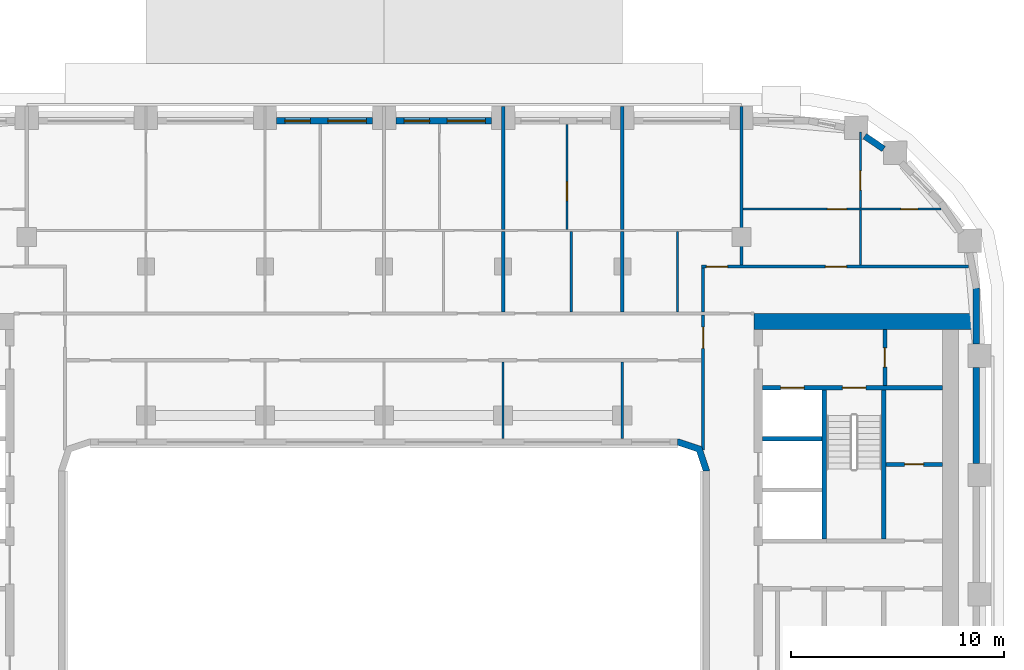
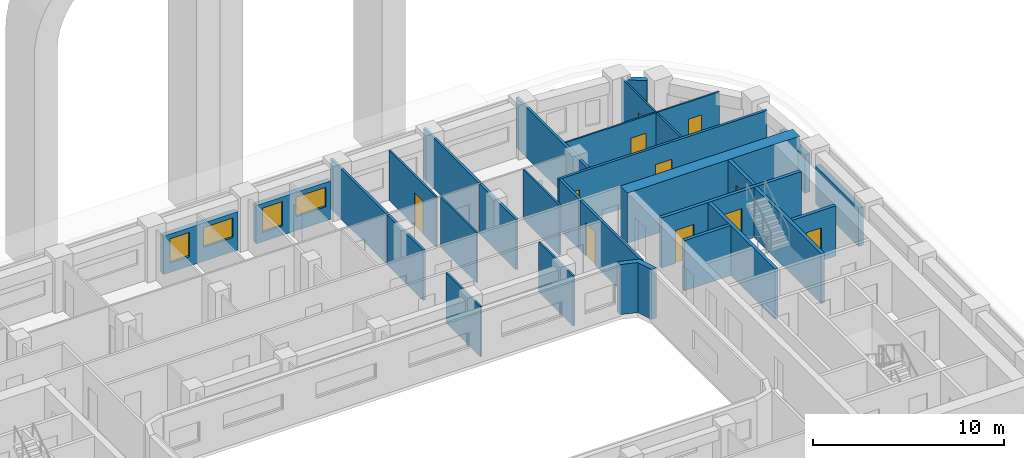
# One storey, part 9 of 18: 29 walls, 11 doors, 4 windows, 15 openings.
"""IFC4 building model written with IfcOpenShell, lengths in metres."""

from ifc_helpers import new_model, si_unit, direction, frame, frame_2d, origin, place, context, subcontext, project, spatial, polyline, rectangle, outline, extrude, material, layer, layer_set, type_object, element, fill, save


model = new_model("IFC4")

# Units and contexts
model_context = context("Model", 3, precision=1e-05, world=origin(), true_north=direction((0.0, 1.0)))
body_context = subcontext(model_context, "Body", "Model", "MODEL_VIEW")
ifc_project = project(units=[si_unit("LENGTHUNIT", "METRE"), si_unit("AREAUNIT", "SQUARE_METRE"), si_unit("VOLUMEUNIT", "CUBIC_METRE"), si_unit("PLANEANGLEUNIT", "RADIAN"), si_unit("MASSUNIT", "GRAM", prefix="KILO")], contexts=[model_context])

# Site, building, storey
site_placement = place(None, origin())
site = spatial("IfcSite", under=ifc_project, at=site_placement, CompositionType="ELEMENT")
building_placement = place(site_placement, origin())
building = spatial("IfcBuilding", under=site, at=building_placement, Name="Kiln Ring Residences", CompositionType="ELEMENT")
storey_placement = place(building_placement, frame((0.0, 0.0, 157.10009765625)))
storey = spatial("IfcBuildingStorey", under=building, at=storey_placement, Name="L40", CompositionType="ELEMENT", Elevation=157.10009765625)

# Wall, opening, door
ifc_material_1 = material(Name="Gypsum board on steel studs", Category="steel")
ifc_layer_1 = layer(ifc_material_1, 0.199951171875)
ifc_layer_set_1 = layer_set([ifc_layer_1], Name="CORE-PARTITION-200")
wall_type_1 = type_object("IfcWallType", Name="CORE-PARTITION-200", PredefinedType="PARTITIONING", material=ifc_layer_set_1)
wall_1_placement = place(storey_placement, frame((23.550048828125, 9.800048828125, 0.0), z_axis=(0.0, 0.0, 1.0), x_axis=(0.0, 1.0, 0.0)))
wall_1 = element("IfcWall", 1, at=wall_1_placement, inside=storey, type_object=wall_type_1, Name="Core partition east L40 4", PredefinedType="PARTITIONING", context=body_context, shape_type="SweptSolid", body=[
    extrude(rectangle(XDim=2.64990234375, YDim=0.199951171875, at=frame_2d((1.324951171875, 0.0))), origin(), (0.0, 0.0, 1.0), 3.199951171875),
])
opening_1_placement = place(wall_1_placement, frame((0.875, 0.0, 0.0)))
opening_1 = element("IfcOpeningElement", 2, at=opening_1_placement, cuts=wall_1, Name="Opening L40-CE09", PredefinedType="OPENING", context=body_context, shape_type="SweptSolid", body=[
    extrude(rectangle(XDim=0.89990234375, YDim=2.10009765625, at=frame_2d((0.449951171875, 1.050048828125))), frame((0.0, 0.10986328125, 0.0), z_axis=(0.0, -1.0, 0.0), x_axis=(1.0, 0.0, 0.0)), (0.0, 0.0, 1.0), 0.219970703125),
])
ifc_material_2 = material(Name="Steel door leaf", Category="steel")
door_type_1 = type_object("IfcDoorType", Name="CORE-DOOR-ROOM", OperationType="SINGLE_SWING_LEFT", PredefinedType="DOOR", material=ifc_material_2)
door_1_placement = place(opening_1_placement, origin())
door_1 = element("IfcDoor", 3, at=door_1_placement, inside=storey, type_object=door_type_1, Name="Fire riser room L40-CE09", OperationType="SINGLE_SWING_RIGHT", OverallHeight=2.10009765625, OverallWidth=0.89990234375, PredefinedType="DOOR", context=body_context, shape_type="SweptSolid", body=[
    extrude(rectangle(XDim=0.89990234375, YDim=2.10009765625, at=frame_2d((0.449951171875, 1.050048828125))), frame((0.0, 0.02490234375, 0.0), z_axis=(0.0, -1.0, 0.0), x_axis=(1.0, 0.0, 0.0)), (0.0, 0.0, 1.0), 0.050048828125),
])
fill(opening_1, door_1)

wall_2_placement = place(storey_placement, frame((23.60009765625, 6.10009765625, 0.0), z_axis=(0.0, 0.0, 1.0), x_axis=(1.0, 0.0, 0.0)))
wall_2 = element("IfcWall", 4, at=wall_2_placement, inside=storey, type_object=wall_type_1, Name="Core partition east L40 7", PredefinedType="PARTITIONING", context=body_context, shape_type="SweptSolid", body=[
    extrude(rectangle(XDim=2.64990234375, YDim=0.199951171875, at=frame_2d((1.324951171875, 0.0))), origin(), (0.0, 0.0, 1.0), 3.199951171875),
])
opening_2_placement = place(wall_2_placement, frame((0.875, 0.0, 0.0)))
opening_2 = element("IfcOpeningElement", 5, at=opening_2_placement, cuts=wall_2, Name="Opening L40-CE17", PredefinedType="OPENING", context=body_context, shape_type="SweptSolid", body=[
    extrude(rectangle(XDim=0.89990234375, YDim=2.10009765625, at=frame_2d((0.449951171875, 1.050048828125))), frame((0.0, 0.10986328125, 0.0), z_axis=(0.0, -1.0, 0.0), x_axis=(1.0, 0.0, 0.0)), (0.0, 0.0, 1.0), 0.219970703125),
])
door_2_placement = place(opening_2_placement, origin())
door_2 = element("IfcDoor", 6, at=door_2_placement, inside=storey, type_object=door_type_1, Name="Comms room L40-CE17", OperationType="SINGLE_SWING_LEFT", OverallHeight=2.10009765625, OverallWidth=0.89990234375, PredefinedType="DOOR", context=body_context, shape_type="SweptSolid", body=[
    extrude(rectangle(XDim=0.89990234375, YDim=2.10009765625, at=frame_2d((0.449951171875, 1.050048828125))), frame((0.0, 0.02490234375, 0.0), z_axis=(0.0, -1.0, 0.0), x_axis=(1.0, 0.0, 0.0)), (0.0, 0.0, 1.0), 0.050048828125),
])
fill(opening_2, door_2)

# Walls
ifc_material_3 = material(Name="Gypsum shaft wall system")
ifc_layer_2 = layer(ifc_material_3, 0.199951171875)
ifc_layer_set_2 = layer_set([ifc_layer_2], Name="CORE-SHAFT-WALL-200")
wall_type_2 = type_object("IfcWallType", Name="CORE-SHAFT-WALL-200", PredefinedType="PARTITIONING", material=ifc_layer_set_2)
wall_3_placement = place(storey_placement, frame((17.800048828125, 7.300048828125, 0.0), z_axis=(0.0, 0.0, 1.0), x_axis=(1.0, 0.0, 0.0)))
element("IfcWall", 7, at=wall_3_placement, inside=storey, type_object=wall_type_2, Name="Core partition east L40 12", PredefinedType="PARTITIONING", context=body_context, shape_type="SweptSolid", body=[
    extrude(rectangle(XDim=2.800048828125, YDim=0.199951171875, at=frame_2d((1.39990234375, 0.0))), origin(), (0.0, 0.0, 1.0), 3.199951171875),
])
ifc_material_4 = material(Name="Concrete C40/50", Category="concrete")
ifc_layer_3 = layer(ifc_material_4, 0.199951171875)
ifc_layer_set_3 = layer_set([ifc_layer_3], Name="CORE-WALL-RC200")
wall_type_3 = type_object("IfcWallType", Name="CORE-WALL-RC200", PredefinedType="SHEAR", material=ifc_layer_set_3)
wall_4_placement = place(storey_placement, frame((20.699951171875, 2.60009765625, 0.0), z_axis=(0.0, 0.0, 1.0), x_axis=(0.0, 1.0, 0.0)))
element("IfcWall", 8, at=wall_4_placement, inside=storey, type_object=wall_type_3, Name="Core wall east L40 1", PredefinedType="SHEAR", context=body_context, shape_type="SweptSolid", body=[
    extrude(rectangle(XDim=7.0, YDim=0.199951171875, at=frame_2d((3.5, 0.0))), origin(), (0.0, 0.0, 1.0), 3.199951171875),
])

# Wall, openings, doors
wall_5_placement = place(storey_placement, frame((17.800048828125, 9.699951171875, 0.0), z_axis=(0.0, 0.0, 1.0), x_axis=(1.0, 0.0, 0.0)))
wall_5 = element("IfcWall", 9, at=wall_5_placement, inside=storey, type_object=wall_type_3, Name="Core wall east L40 9", PredefinedType="SHEAR", context=body_context, shape_type="SweptSolid", body=[
    extrude(rectangle(XDim=8.449951171875, YDim=0.199951171875, at=frame_2d((4.22509765625, 0.0))), origin(), (0.0, 0.0, 1.0), 3.199951171875),
])
opening_3_placement = place(wall_5_placement, frame((0.85009765625, 0.0, 0.0)))
opening_3 = element("IfcOpeningElement", 10, at=opening_3_placement, cuts=wall_5, Name="Opening L40-CE06", PredefinedType="OPENING", context=body_context, shape_type="SweptSolid", body=[
    extrude(rectangle(XDim=1.10009765625, YDim=2.10009765625, at=frame_2d((0.550048828125, 1.050048828125))), frame((0.0, 0.10986328125, 0.0), z_axis=(0.0, -1.0, 0.0), x_axis=(1.0, 0.0, 0.0)), (0.0, 0.0, 1.0), 0.219970703125),
])
opening_4_placement = place(wall_5_placement, frame((3.75, 0.0, 0.0)))
opening_4 = element("IfcOpeningElement", 11, at=opening_4_placement, cuts=wall_5, Name="Opening L40-CE11", PredefinedType="OPENING", context=body_context, shape_type="SweptSolid", body=[
    extrude(rectangle(XDim=1.10009765625, YDim=2.10009765625, at=frame_2d((0.550048828125, 1.050048828125))), frame((0.0, 0.10986328125, 0.0), z_axis=(0.0, -1.0, 0.0), x_axis=(1.0, 0.0, 0.0)), (0.0, 0.0, 1.0), 0.219970703125),
])
ifc_material_5 = material(Name="Steel door leaf", Category="steel")
door_type_2 = type_object("IfcDoorType", Name="CORE-DOOR-LD", OperationType="DOUBLE_DOOR_SLIDING", PredefinedType="DOOR", material=ifc_material_5)
door_3_placement = place(opening_3_placement, origin())
door_3 = element("IfcDoor", 12, at=door_3_placement, inside=storey, type_object=door_type_2, Name="LD E-FF L40-CE06", OperationType="DOUBLE_DOOR_SLIDING", OverallHeight=2.10009765625, OverallWidth=1.10009765625, PredefinedType="DOOR", context=body_context, shape_type="SweptSolid", body=[
    extrude(rectangle(XDim=1.10009765625, YDim=2.10009765625, at=frame_2d((0.550048828125, 1.050048828125))), frame((0.0, 0.02490234375, 0.0), z_axis=(0.0, -1.0, 0.0), x_axis=(1.0, 0.0, 0.0)), (0.0, 0.0, 1.0), 0.050048828125),
])
fill(opening_3, door_3)
ifc_material_6 = material(Name="Steel door leaf", Category="steel")
door_type_3 = type_object("IfcDoorType", Name="CORE-DOOR-STAIR", OperationType="SINGLE_SWING_LEFT", PredefinedType="DOOR", material=ifc_material_6)
door_4_placement = place(opening_4_placement, origin())
door_4 = element("IfcDoor", 13, at=door_4_placement, inside=storey, type_object=door_type_3, Name="Stair E-STN L40-CE11", OperationType="SINGLE_SWING_RIGHT", OverallHeight=2.10009765625, OverallWidth=1.10009765625, PredefinedType="DOOR", context=body_context, shape_type="SweptSolid", body=[
    extrude(rectangle(XDim=1.10009765625, YDim=2.10009765625, at=frame_2d((0.550048828125, 1.050048828125))), frame((0.0, 0.02490234375, 0.0), z_axis=(0.0, -1.0, 0.0), x_axis=(1.0, 0.0, 0.0)), (0.0, 0.0, 1.0), 0.050048828125),
])
fill(opening_4, door_4)

# Walls
wall_6_placement = place(storey_placement, frame((23.5, 2.60009765625, 0.0), z_axis=(0.0, 0.0, 1.0), x_axis=(0.0, 1.0, 0.0)))
element("IfcWall", 14, at=wall_6_placement, inside=storey, type_object=wall_type_3, Name="Core wall east L40 10", PredefinedType="SHEAR", context=body_context, shape_type="SweptSolid", body=[
    extrude(rectangle(XDim=7.0, YDim=0.199951171875, at=frame_2d((3.5, 0.0))), origin(), (0.0, 0.0, 1.0), 3.199951171875),
])
ifc_material_7 = material(Name="Concrete C60/75", Category="concrete")
ifc_layer_4 = layer(ifc_material_7, 0.75)
ifc_layer_set_4 = layer_set([ifc_layer_4], Name="CORE-WALL-RC750")
wall_type_4 = type_object("IfcWallType", Name="CORE-WALL-RC750", PredefinedType="SHEAR", material=ifc_layer_set_4)
wall_7_placement = place(storey_placement, frame((17.39990234375, 12.824951171875, 0.0), z_axis=(0.0, 0.0, 1.0), x_axis=(1.0, 0.0, 0.0)))
element("IfcWall", 15, at=wall_7_placement, inside=storey, type_object=wall_type_4, Name="Core wall east L40 4", PredefinedType="SHEAR", context=body_context, shape_type="SweptSolid", body=[
    extrude(rectangle(XDim=10.400146484375, YDim=0.75, at=frame_2d((5.2001953125, 0.0))), origin(), (0.0, 0.0, 1.0), 3.199951171875),
])
ifc_material_8 = material(Name="Brick masonry, dark clay brick", Category="masonry")
ifc_layer_5 = layer(ifc_material_8, 0.300048828125)
ifc_layer_set_5 = layer_set([ifc_layer_5], Name="EW-300 BRICK WALL")
wall_type_5 = type_object("IfcWallType", Name="EW-300 BRICK WALL", PredefinedType="SOLIDWALL", material=ifc_layer_set_5)
wall_8_placement = place(storey_placement, frame((27.85009765625, 6.14990234375, 0.0), z_axis=(0.0, 0.0, 1.0), x_axis=(0.0, 1.0, 0.0)))
element("IfcWall", 16, at=wall_8_placement, inside=storey, type_object=wall_type_5, Name="Facade wall L40 21", PredefinedType="SOLIDWALL", context=body_context, shape_type="SweptSolid", body=[
    extrude(rectangle(XDim=4.5, YDim=0.300048828125, at=frame_2d((2.25, 0.0))), origin(), (0.0, 0.0, 1.0), 2.449951171875),
])
wall_9_placement = place(storey_placement, frame((27.85009765625, 11.75, 0.0), z_axis=(0.0, 0.0, 1.0), x_axis=(0.0, 1.0, 0.0)))
element("IfcWall", 17, at=wall_9_placement, inside=storey, type_object=wall_type_5, Name="Facade wall L40 22", PredefinedType="SOLIDWALL", context=body_context, shape_type="SweptSolid", body=[
    extrude(rectangle(XDim=2.64990234375, YDim=0.300048828125, at=frame_2d((1.324951171875, 0.0))), origin(), (0.0, 0.0, 1.0), 2.449951171875),
])
wall_10_placement = place(storey_placement, frame((23.492431640625, 20.932373046875, 0.0), z_axis=(0.0, 0.0, 1.0), x_axis=(-0.826993959827, 0.562210806023, 0.0)))
element("IfcWall", 18, at=wall_10_placement, inside=storey, type_object=wall_type_5, Name="Facade wall L40 26", PredefinedType="SOLIDWALL", context=body_context, shape_type="SweptSolid", body=[
    extrude(rectangle(XDim=1.076904296875, YDim=0.300048828125, at=frame_2d((0.53857421875, 0.0))), origin(), (0.0, 0.0, 1.0), 3.199951171875),
])

# Wall, openings, windows
wall_11_placement = place(storey_placement, frame((5.050048828125, 22.25, 0.0), z_axis=(0.0, 0.0, 1.0), x_axis=(-1.0, 0.0, 0.0)))
wall_11 = element("IfcWall", 19, at=wall_11_placement, inside=storey, type_object=wall_type_5, Name="Facade wall L40 31", PredefinedType="SOLIDWALL", context=body_context, shape_type="SweptSolid", body=[
    extrude(rectangle(XDim=4.5, YDim=0.300048828125, at=frame_2d((2.25, 0.0))), origin(), (0.0, 0.0, 1.0), 2.449951171875),
])
opening_5_placement = place(wall_11_placement, frame((0.28759765625, 0.0, 0.89990234375)))
opening_5 = element("IfcOpeningElement", 20, at=opening_5_placement, cuts=wall_11, Name="Opening W2", PredefinedType="OPENING", context=body_context, shape_type="SweptSolid", body=[
    extrude(rectangle(XDim=1.800048828125, YDim=1.25, at=frame_2d((0.89990234375, 0.625))), frame((0.0, 0.159912109375, 0.0), z_axis=(0.0, -1.0, 0.0), x_axis=(1.0, 0.0, 0.0)), (0.0, 0.0, 1.0), 0.320068359375),
])
opening_6_placement = place(wall_11_placement, frame((2.91259765625, 0.0, 0.60009765625)))
opening_6 = element("IfcOpeningElement", 21, at=opening_6_placement, cuts=wall_11, Name="Opening W1", PredefinedType="OPENING", context=body_context, shape_type="SweptSolid", body=[
    extrude(rectangle(XDim=1.199951171875, YDim=1.550048828125, at=frame_2d((0.60009765625, 0.77490234375))), frame((0.0, 0.159912109375, 0.0), z_axis=(0.0, -1.0, 0.0), x_axis=(1.0, 0.0, 0.0)), (0.0, 0.0, 1.0), 0.320068359375),
])
ifc_material_9 = material(Name="Aluminium frame with double glazing", Category="aluminium")
window_type_1 = type_object("IfcWindowType", Name="WINDOW 1200 x 1550", PartitioningType="SINGLE_PANEL", PredefinedType="WINDOW", material=ifc_material_9)
window_1_placement = place(opening_6_placement, origin())
window_1 = element("IfcWindow", 22, at=window_1_placement, inside=storey, type_object=window_type_1, Name="Window L40 23", OverallHeight=1.550048828125, OverallWidth=1.199951171875, PartitioningType="SINGLE_PANEL", PredefinedType="WINDOW", context=body_context, shape_type="SweptSolid", body=[
    extrude(rectangle(XDim=1.199951171875, YDim=1.550048828125, at=frame_2d((0.60009765625, 0.77490234375))), frame((0.0, 0.030029296875, 0.0), z_axis=(0.0, -1.0, 0.0), x_axis=(1.0, 0.0, 0.0)), (0.0, 0.0, 1.0), 0.06005859375),
])
fill(opening_6, window_1)
ifc_material_10 = material(Name="Aluminium frame with double glazing", Category="aluminium")
window_type_2 = type_object("IfcWindowType", Name="WINDOW 1800 x 1250", PartitioningType="SINGLE_PANEL", PredefinedType="WINDOW", material=ifc_material_10)
window_2_placement = place(opening_5_placement, origin())
window_2 = element("IfcWindow", 23, at=window_2_placement, inside=storey, type_object=window_type_2, Name="Window L40 22", OverallHeight=1.25, OverallWidth=1.800048828125, PartitioningType="SINGLE_PANEL", PredefinedType="WINDOW", context=body_context, shape_type="SweptSolid", body=[
    extrude(rectangle(XDim=1.800048828125, YDim=1.25, at=frame_2d((0.89990234375, 0.625))), frame((0.0, 0.030029296875, 0.0), z_axis=(0.0, -1.0, 0.0), x_axis=(1.0, 0.0, 0.0)), (0.0, 0.0, 1.0), 0.06005859375),
])
fill(opening_5, window_2)

wall_12_placement = place(storey_placement, frame((-0.550048828125, 22.25, 0.0), z_axis=(0.0, 0.0, 1.0), x_axis=(-1.0, 0.0, 0.0)))
wall_12 = element("IfcWall", 24, at=wall_12_placement, inside=storey, type_object=wall_type_5, Name="Facade wall L40 32", PredefinedType="SOLIDWALL", context=body_context, shape_type="SweptSolid", body=[
    extrude(rectangle(XDim=4.5, YDim=0.300048828125, at=frame_2d((2.25, 0.0))), origin(), (0.0, 0.0, 1.0), 2.449951171875),
])
opening_7_placement = place(wall_12_placement, frame((0.28759765625, 0.0, 0.89990234375)))
opening_7 = element("IfcOpeningElement", 25, at=opening_7_placement, cuts=wall_12, Name="Opening W2", PredefinedType="OPENING", context=body_context, shape_type="SweptSolid", body=[
    extrude(rectangle(XDim=1.800048828125, YDim=1.25, at=frame_2d((0.89990234375, 0.625))), frame((0.0, 0.159912109375, 0.0), z_axis=(0.0, -1.0, 0.0), x_axis=(1.0, 0.0, 0.0)), (0.0, 0.0, 1.0), 0.320068359375),
])
opening_8_placement = place(wall_12_placement, frame((2.91259765625, 0.0, 0.60009765625)))
opening_8 = element("IfcOpeningElement", 26, at=opening_8_placement, cuts=wall_12, Name="Opening W1", PredefinedType="OPENING", context=body_context, shape_type="SweptSolid", body=[
    extrude(rectangle(XDim=1.199951171875, YDim=1.550048828125, at=frame_2d((0.60009765625, 0.77490234375))), frame((0.0, 0.159912109375, 0.0), z_axis=(0.0, -1.0, 0.0), x_axis=(1.0, 0.0, 0.0)), (0.0, 0.0, 1.0), 0.320068359375),
])
window_3_placement = place(opening_8_placement, origin())
window_3 = element("IfcWindow", 27, at=window_3_placement, inside=storey, type_object=window_type_1, Name="Window L40 25", OverallHeight=1.550048828125, OverallWidth=1.199951171875, PartitioningType="SINGLE_PANEL", PredefinedType="WINDOW", context=body_context, shape_type="SweptSolid", body=[
    extrude(rectangle(XDim=1.199951171875, YDim=1.550048828125, at=frame_2d((0.60009765625, 0.77490234375))), frame((0.0, 0.030029296875, 0.0), z_axis=(0.0, -1.0, 0.0), x_axis=(1.0, 0.0, 0.0)), (0.0, 0.0, 1.0), 0.06005859375),
])
fill(opening_8, window_3)
window_4_placement = place(opening_7_placement, origin())
window_4 = element("IfcWindow", 28, at=window_4_placement, inside=storey, type_object=window_type_2, Name="Window L40 24", OverallHeight=1.25, OverallWidth=1.800048828125, PartitioningType="SINGLE_PANEL", PredefinedType="WINDOW", context=body_context, shape_type="SweptSolid", body=[
    extrude(rectangle(XDim=1.800048828125, YDim=1.25, at=frame_2d((0.89990234375, 0.625))), frame((0.0, 0.030029296875, 0.0), z_axis=(0.0, -1.0, 0.0), x_axis=(1.0, 0.0, 0.0)), (0.0, 0.0, 1.0), 0.06005859375),
])
fill(opening_7, window_4)

# Wall
wall_13_placement = place(storey_placement, origin())
element("IfcWall", 29, at=wall_13_placement, inside=storey, type_object=wall_type_5, Name="Corner wall L40 2", PredefinedType="SOLIDWALL", context=body_context, shape_type="SweptSolid", body=[
    extrude(outline(polyline([(14.937255859375, 6.937255859375), (13.8486328125, 7.300048828125), (13.800048828125, 7.300048828125), (13.800048828125, 7.0), (14.699951171875, 6.699951171875), (15.0, 5.800048828125), (15.300048828125, 5.800048828125), (15.300048828125, 5.8486328125), (14.937255859375, 6.937255859375)])), origin(), (0.0, 0.0, 1.0), 3.199951171875),
])

# Wall, openings, doors
ifc_material_11 = material(Name="Gypsum board on steel studs", Category="steel")
ifc_layer_6 = layer(ifc_material_11, 0.10009765625)
ifc_layer_set_6 = layer_set([ifc_layer_6], Name="PARTITION-100")
wall_type_6 = type_object("IfcWallType", Name="PARTITION-100", PredefinedType="PARTITIONING", material=ifc_layer_set_6)
wall_14_placement = place(storey_placement, frame((16.875, 18.10009765625, 0.0), z_axis=(0.0, 0.0, 1.0), x_axis=(1.0, 0.0, 0.0)))
wall_14 = element("IfcWall", 30, at=wall_14_placement, inside=storey, type_object=wall_type_6, Name="Partition 013", PredefinedType="PARTITIONING", context=body_context, shape_type="SweptSolid", body=[
    extrude(rectangle(XDim=9.315185546875, YDim=0.10009765625, at=frame_2d((4.65771484375, 0.0))), origin(), (0.0, 0.0, 1.0), 3.199951171875),
])
opening_9_placement = place(wall_14_placement, frame((7.425048828125, 0.0, 0.0)))
opening_9 = element("IfcOpeningElement", 31, at=opening_9_placement, cuts=wall_14, Name="Opening L40-D034", PredefinedType="OPENING", context=body_context, shape_type="SweptSolid", body=[
    extrude(rectangle(XDim=0.800048828125, YDim=2.10009765625, at=frame_2d((0.39990234375, 1.050048828125))), frame((0.0, 0.06005859375, 0.0), z_axis=(0.0, -1.0, 0.0), x_axis=(1.0, 0.0, 0.0)), (0.0, 0.0, 1.0), 0.1201171875),
])
opening_10_placement = place(wall_14_placement, frame((3.97509765625, 0.0, 0.0)))
opening_10 = element("IfcOpeningElement", 32, at=opening_10_placement, cuts=wall_14, Name="Opening L40-D035", PredefinedType="OPENING", context=body_context, shape_type="SweptSolid", body=[
    extrude(rectangle(XDim=0.89990234375, YDim=2.10009765625, at=frame_2d((0.449951171875, 1.050048828125))), frame((0.0, 0.06005859375, 0.0), z_axis=(0.0, -1.0, 0.0), x_axis=(1.0, 0.0, 0.0)), (0.0, 0.0, 1.0), 0.1201171875),
])
ifc_material_12 = material(Name="Timber door leaf", Category="wood")
door_type_4 = type_object("IfcDoorType", Name="FLAT-DOOR-800-PL", OperationType="SINGLE_SWING_LEFT", PredefinedType="DOOR", material=ifc_material_12)
door_5_placement = place(opening_9_placement, origin())
door_5 = element("IfcDoor", 33, at=door_5_placement, inside=storey, type_object=door_type_4, Name="Door L40-D034", OperationType="SINGLE_SWING_RIGHT", OverallHeight=2.10009765625, OverallWidth=0.800048828125, PredefinedType="DOOR", context=body_context, shape_type="SweptSolid", body=[
    extrude(rectangle(XDim=0.800048828125, YDim=2.10009765625, at=frame_2d((0.39990234375, 1.050048828125))), frame((0.0, 0.02490234375, 0.0), z_axis=(0.0, -1.0, 0.0), x_axis=(1.0, 0.0, 0.0)), (0.0, 0.0, 1.0), 0.050048828125),
])
fill(opening_9, door_5)
ifc_material_13 = material(Name="Timber door leaf", Category="wood")
door_type_5 = type_object("IfcDoorType", Name="FLAT-DOOR-900-PL", OperationType="SINGLE_SWING_LEFT", PredefinedType="DOOR", material=ifc_material_13)
door_6_placement = place(opening_10_placement, origin())
door_6 = element("IfcDoor", 34, at=door_6_placement, inside=storey, type_object=door_type_5, Name="Door L40-D035", OperationType="SINGLE_SWING_LEFT", OverallHeight=2.10009765625, OverallWidth=0.89990234375, PredefinedType="DOOR", context=body_context, shape_type="SweptSolid", body=[
    extrude(rectangle(XDim=0.89990234375, YDim=2.10009765625, at=frame_2d((0.449951171875, 1.050048828125))), frame((0.0, 0.02490234375, 0.0), z_axis=(0.0, -1.0, 0.0), x_axis=(1.0, 0.0, 0.0)), (0.0, 0.0, 1.0), 0.050048828125),
])
fill(opening_10, door_6)

# Wall
wall_15_placement = place(storey_placement, frame((5.60009765625, 7.320068359375, 0.0), z_axis=(0.0, 0.0, 1.0), x_axis=(0.0, 1.0, 0.0)))
element("IfcWall", 35, at=wall_15_placement, inside=storey, type_object=wall_type_6, Name="Partition 051", PredefinedType="PARTITIONING", context=body_context, shape_type="SweptSolid", body=[
    extrude(rectangle(XDim=3.60498046875, YDim=0.10009765625, at=frame_2d((1.802490234375, 0.0))), origin(), (0.0, 0.0, 1.0), 3.199951171875),
])

# Wall, opening, door
wall_16_placement = place(storey_placement, frame((8.60009765625, 17.14990234375, 0.0), z_axis=(0.0, 0.0, 1.0), x_axis=(0.0, 1.0, 0.0)))
wall_16 = element("IfcWall", 36, at=wall_16_placement, inside=storey, type_object=wall_type_6, Name="Partition 057", PredefinedType="PARTITIONING", context=body_context, shape_type="SweptSolid", body=[
    extrude(rectangle(XDim=4.93017578125, YDim=0.10009765625, at=frame_2d((2.465087890625, 0.0))), origin(), (0.0, 0.0, 1.0), 3.199951171875),
])
opening_11_placement = place(wall_16_placement, frame((1.35009765625, 0.0, 0.0)))
opening_11 = element("IfcOpeningElement", 37, at=opening_11_placement, cuts=wall_16, Name="Opening L40-D029", PredefinedType="OPENING", context=body_context, shape_type="SweptSolid", body=[
    extrude(rectangle(XDim=0.89990234375, YDim=2.10009765625, at=frame_2d((0.449951171875, 1.050048828125))), frame((0.0, 0.06005859375, 0.0), z_axis=(0.0, -1.0, 0.0), x_axis=(1.0, 0.0, 0.0)), (0.0, 0.0, 1.0), 0.1201171875),
])
door_7_placement = place(opening_11_placement, origin())
door_7 = element("IfcDoor", 38, at=door_7_placement, inside=storey, type_object=door_type_5, Name="Door L40-D029", OperationType="SINGLE_SWING_LEFT", OverallHeight=2.10009765625, OverallWidth=0.89990234375, PredefinedType="DOOR", context=body_context, shape_type="SweptSolid", body=[
    extrude(rectangle(XDim=0.89990234375, YDim=2.10009765625, at=frame_2d((0.449951171875, 1.050048828125))), frame((0.0, 0.02490234375, 0.0), z_axis=(0.0, -1.0, 0.0), x_axis=(1.0, 0.0, 0.0)), (0.0, 0.0, 1.0), 0.050048828125),
])
fill(opening_11, door_7)

# Walls
wall_17_placement = place(storey_placement, frame((8.800048828125, 13.27490234375, 0.0), z_axis=(0.0, 0.0, 1.0), x_axis=(0.0, 1.0, 0.0)))
element("IfcWall", 39, at=wall_17_placement, inside=storey, type_object=wall_type_6, Name="Partition 058", PredefinedType="PARTITIONING", context=body_context, shape_type="SweptSolid", body=[
    extrude(rectangle(XDim=3.775146484375, YDim=0.10009765625, at=frame_2d((1.8876953125, 0.0))), origin(), (0.0, 0.0, 1.0), 3.199951171875),
])
wall_18_placement = place(storey_placement, frame((11.199951171875, 7.320068359375, 0.0), z_axis=(0.0, 0.0, 1.0), x_axis=(0.0, 1.0, 0.0)))
element("IfcWall", 40, at=wall_18_placement, inside=storey, type_object=wall_type_6, Name="Partition 062", PredefinedType="PARTITIONING", context=body_context, shape_type="SweptSolid", body=[
    extrude(rectangle(XDim=3.60498046875, YDim=0.10009765625, at=frame_2d((1.802490234375, 0.0))), origin(), (0.0, 0.0, 1.0), 3.199951171875),
])
wall_19_placement = place(storey_placement, frame((13.800048828125, 13.27490234375, 0.0), z_axis=(0.0, 0.0, 1.0), x_axis=(0.0, 1.0, 0.0)))
element("IfcWall", 41, at=wall_19_placement, inside=storey, type_object=wall_type_6, Name="Partition 066", PredefinedType="PARTITIONING", context=body_context, shape_type="SweptSolid", body=[
    extrude(rectangle(XDim=3.775146484375, YDim=0.10009765625, at=frame_2d((1.8876953125, 0.0))), origin(), (0.0, 0.0, 1.0), 3.199951171875),
])
wall_20_placement = place(storey_placement, frame((22.39990234375, 15.47509765625, 0.0), z_axis=(0.0, 0.0, 1.0), x_axis=(0.0, 1.0, 0.0)))
element("IfcWall", 42, at=wall_20_placement, inside=storey, type_object=wall_type_6, Name="Partition 075", PredefinedType="PARTITIONING", context=body_context, shape_type="SweptSolid", body=[
    extrude(rectangle(XDim=2.574951171875, YDim=0.10009765625, at=frame_2d((1.28759765625, 0.0))), origin(), (0.0, 0.0, 1.0), 3.199951171875),
])

# Wall, opening, door
wall_21_placement = place(storey_placement, frame((22.39990234375, 18.14990234375, 0.0), z_axis=(0.0, 0.0, 1.0), x_axis=(0.0, 1.0, 0.0)))
wall_21 = element("IfcWall", 43, at=wall_21_placement, inside=storey, type_object=wall_type_6, Name="Partition 076", PredefinedType="PARTITIONING", context=body_context, shape_type="SweptSolid", body=[
    extrude(rectangle(XDim=3.570068359375, YDim=0.10009765625, at=frame_2d((1.78515625, 0.0))), origin(), (0.0, 0.0, 1.0), 3.199951171875),
])
opening_12_placement = place(wall_21_placement, frame((0.85009765625, 0.0, 0.0)))
opening_12 = element("IfcOpeningElement", 44, at=opening_12_placement, cuts=wall_21, Name="Opening L40-D036", PredefinedType="OPENING", context=body_context, shape_type="SweptSolid", body=[
    extrude(rectangle(XDim=0.89990234375, YDim=2.10009765625, at=frame_2d((0.449951171875, 1.050048828125))), frame((0.0, 0.06005859375, 0.0), z_axis=(0.0, -1.0, 0.0), x_axis=(1.0, 0.0, 0.0)), (0.0, 0.0, 1.0), 0.1201171875),
])
door_8_placement = place(opening_12_placement, origin())
door_8 = element("IfcDoor", 45, at=door_8_placement, inside=storey, type_object=door_type_5, Name="Door L40-D036", OperationType="SINGLE_SWING_LEFT", OverallHeight=2.10009765625, OverallWidth=0.89990234375, PredefinedType="DOOR", context=body_context, shape_type="SweptSolid", body=[
    extrude(rectangle(XDim=0.89990234375, YDim=2.10009765625, at=frame_2d((0.449951171875, 1.050048828125))), frame((0.0, 0.02490234375, 0.0), z_axis=(0.0, -1.0, 0.0), x_axis=(1.0, 0.0, 0.0)), (0.0, 0.0, 1.0), 0.050048828125),
])
fill(opening_12, door_8)

# Wall, openings, doors
ifc_material_14 = material(Name="Brick masonry partition", Category="masonry")
ifc_layer_7 = layer(ifc_material_14, 0.14990234375)
ifc_layer_set_7 = layer_set([ifc_layer_7], Name="PARTITION-150-ei60")
wall_type_7 = type_object("IfcWallType", Name="PARTITION-150-ei60", PredefinedType="PARTITIONING", material=ifc_layer_set_7)
wall_22_placement = place(storey_placement, frame((14.925048828125, 15.39990234375, 0.0), z_axis=(0.0, 0.0, 1.0), x_axis=(1.0, 0.0, 0.0)))
wall_22 = element("IfcWall", 46, at=wall_22_placement, inside=storey, type_object=wall_type_7, Name="Partition 010", PredefinedType="PARTITIONING", context=body_context, shape_type="SweptSolid", body=[
    extrude(rectangle(XDim=12.558837890625, YDim=0.14990234375, at=frame_2d((6.279296875, 0.0))), origin(), (0.0, 0.0, 1.0), 3.199951171875),
])
opening_13_placement = place(wall_22_placement, frame((0.22509765625, 0.0, 0.0)))
opening_13 = element("IfcOpeningElement", 47, at=opening_13_placement, cuts=wall_22, Name="Opening L40-D030", PredefinedType="OPENING", context=body_context, shape_type="SweptSolid", body=[
    extrude(rectangle(XDim=1.0, YDim=2.10009765625, at=frame_2d((0.5, 1.050048828125))), frame((0.0, 0.0849609375, 0.0), z_axis=(0.0, -1.0, 0.0), x_axis=(1.0, 0.0, 0.0)), (0.0, 0.0, 1.0), 0.169921875),
])
opening_14_placement = place(wall_22_placement, frame((5.824951171875, 0.0, 0.0)))
opening_14 = element("IfcOpeningElement", 48, at=opening_14_placement, cuts=wall_22, Name="Opening L40-D033", PredefinedType="OPENING", context=body_context, shape_type="SweptSolid", body=[
    extrude(rectangle(XDim=1.0, YDim=2.10009765625, at=frame_2d((0.5, 1.050048828125))), frame((0.0, 0.0849609375, 0.0), z_axis=(0.0, -1.0, 0.0), x_axis=(1.0, 0.0, 0.0)), (0.0, 0.0, 1.0), 0.169921875),
])
ifc_material_15 = material(Name="Steel faced fire door leaf", Category="steel")
door_type_6 = type_object("IfcDoorType", Name="FLAT-DOOR-1000-FR", OperationType="SINGLE_SWING_LEFT", PredefinedType="DOOR", material=ifc_material_15)
door_9_placement = place(opening_13_placement, origin())
door_9 = element("IfcDoor", 49, at=door_9_placement, inside=storey, type_object=door_type_6, Name="Door L40-D030", OperationType="SINGLE_SWING_RIGHT", OverallHeight=2.10009765625, OverallWidth=1.0, PredefinedType="DOOR", context=body_context, shape_type="SweptSolid", body=[
    extrude(rectangle(XDim=1.0, YDim=2.10009765625, at=frame_2d((0.5, 1.050048828125))), frame((0.0, 0.02490234375, 0.0), z_axis=(0.0, -1.0, 0.0), x_axis=(1.0, 0.0, 0.0)), (0.0, 0.0, 1.0), 0.050048828125),
])
fill(opening_13, door_9)
door_10_placement = place(opening_14_placement, origin())
door_10 = element("IfcDoor", 50, at=door_10_placement, inside=storey, type_object=door_type_6, Name="Door L40-D033", OperationType="SINGLE_SWING_LEFT", OverallHeight=2.10009765625, OverallWidth=1.0, PredefinedType="DOOR", context=body_context, shape_type="SweptSolid", body=[
    extrude(rectangle(XDim=1.0, YDim=2.10009765625, at=frame_2d((0.5, 1.050048828125))), frame((0.0, 0.02490234375, 0.0), z_axis=(0.0, -1.0, 0.0), x_axis=(1.0, 0.0, 0.0)), (0.0, 0.0, 1.0), 0.050048828125),
])
fill(opening_14, door_10)

# Walls
wall_23_placement = place(storey_placement, frame((5.60009765625, 13.27490234375, 0.0), z_axis=(0.0, 0.0, 1.0), x_axis=(0.0, 1.0, 0.0)))
element("IfcWall", 51, at=wall_23_placement, inside=storey, type_object=wall_type_7, Name="Partition 054", PredefinedType="PARTITIONING", context=body_context, shape_type="SweptSolid", body=[
    extrude(rectangle(XDim=3.775146484375, YDim=0.14990234375, at=frame_2d((1.8876953125, 0.0))), origin(), (0.0, 0.0, 1.0), 3.199951171875),
])
wall_24_placement = place(storey_placement, frame((5.60009765625, 17.14990234375, 0.0), z_axis=(0.0, 0.0, 1.0), x_axis=(0.0, 1.0, 0.0)))
element("IfcWall", 52, at=wall_24_placement, inside=storey, type_object=wall_type_7, Name="Partition 055", PredefinedType="PARTITIONING", context=body_context, shape_type="SweptSolid", body=[
    extrude(rectangle(XDim=5.780029296875, YDim=0.14990234375, at=frame_2d((2.89013671875, 0.0))), origin(), (0.0, 0.0, 1.0), 3.199951171875),
])
wall_25_placement = place(storey_placement, frame((11.199951171875, 13.27490234375, 0.0), z_axis=(0.0, 0.0, 1.0), x_axis=(0.0, 1.0, 0.0)))
element("IfcWall", 53, at=wall_25_placement, inside=storey, type_object=wall_type_7, Name="Partition 063", PredefinedType="PARTITIONING", context=body_context, shape_type="SweptSolid", body=[
    extrude(rectangle(XDim=3.775146484375, YDim=0.14990234375, at=frame_2d((1.8876953125, 0.0))), origin(), (0.0, 0.0, 1.0), 3.199951171875),
])
wall_26_placement = place(storey_placement, frame((11.199951171875, 17.14990234375, 0.0), z_axis=(0.0, 0.0, 1.0), x_axis=(0.0, 1.0, 0.0)))
element("IfcWall", 54, at=wall_26_placement, inside=storey, type_object=wall_type_7, Name="Partition 064", PredefinedType="PARTITIONING", context=body_context, shape_type="SweptSolid", body=[
    extrude(rectangle(XDim=5.780029296875, YDim=0.14990234375, at=frame_2d((2.89013671875, 0.0))), origin(), (0.0, 0.0, 1.0), 3.199951171875),
])

# Wall, opening, door
wall_27_placement = place(storey_placement, frame((15.0, 6.768798828125, 0.0), z_axis=(0.0, 0.0, 1.0), x_axis=(0.0, 1.0, 0.0)))
wall_27 = element("IfcWall", 55, at=wall_27_placement, inside=storey, type_object=wall_type_7, Name="Partition 069", PredefinedType="PARTITIONING", context=body_context, shape_type="SweptSolid", body=[
    extrude(rectangle(XDim=6.356201171875, YDim=0.14990234375, at=frame_2d((3.17822265625, 0.0))), origin(), (0.0, 0.0, 1.0), 3.199951171875),
])
opening_15_placement = place(wall_27_placement, frame((4.78125, 0.0, 0.0)))
opening_15 = element("IfcOpeningElement", 56, at=opening_15_placement, cuts=wall_27, Name="Opening L40-D002", PredefinedType="OPENING", context=body_context, shape_type="SweptSolid", body=[
    extrude(rectangle(XDim=1.0, YDim=2.10009765625, at=frame_2d((0.5, 1.050048828125))), frame((0.0, 0.0849609375, 0.0), z_axis=(0.0, -1.0, 0.0), x_axis=(1.0, 0.0, 0.0)), (0.0, 0.0, 1.0), 0.169921875),
])
door_11_placement = place(opening_15_placement, origin())
door_11 = element("IfcDoor", 57, at=door_11_placement, inside=storey, type_object=door_type_6, Name="Door L40-D002", OperationType="SINGLE_SWING_LEFT", OverallHeight=2.10009765625, OverallWidth=1.0, PredefinedType="DOOR", context=body_context, shape_type="SweptSolid", body=[
    extrude(rectangle(XDim=1.0, YDim=2.10009765625, at=frame_2d((0.5, 1.050048828125))), frame((0.0, 0.02490234375, 0.0), z_axis=(0.0, -1.0, 0.0), x_axis=(1.0, 0.0, 0.0)), (0.0, 0.0, 1.0), 0.050048828125),
])
fill(opening_15, door_11)

# Walls
wall_28_placement = place(storey_placement, frame((15.0, 13.27490234375, 0.0), z_axis=(0.0, 0.0, 1.0), x_axis=(0.0, 1.0, 0.0)))
element("IfcWall", 58, at=wall_28_placement, inside=storey, type_object=wall_type_7, Name="Partition 070", PredefinedType="PARTITIONING", context=body_context, shape_type="SweptSolid", body=[
    extrude(rectangle(XDim=2.050048828125, YDim=0.14990234375, at=frame_2d((1.02490234375, 0.0))), origin(), (0.0, 0.0, 1.0), 3.199951171875),
])
wall_29_placement = place(storey_placement, frame((16.800048828125, 15.47509765625, 0.0), z_axis=(0.0, 0.0, 1.0), x_axis=(0.0, 1.0, 0.0)))
element("IfcWall", 59, at=wall_29_placement, inside=storey, type_object=wall_type_7, Name="Partition 072", PredefinedType="PARTITIONING", context=body_context, shape_type="SweptSolid", body=[
    extrude(rectangle(XDim=7.454833984375, YDim=0.14990234375, at=frame_2d((3.7275390625, 0.0))), origin(), (0.0, 0.0, 1.0), 3.199951171875),
])

save(model, "model.ifc")
